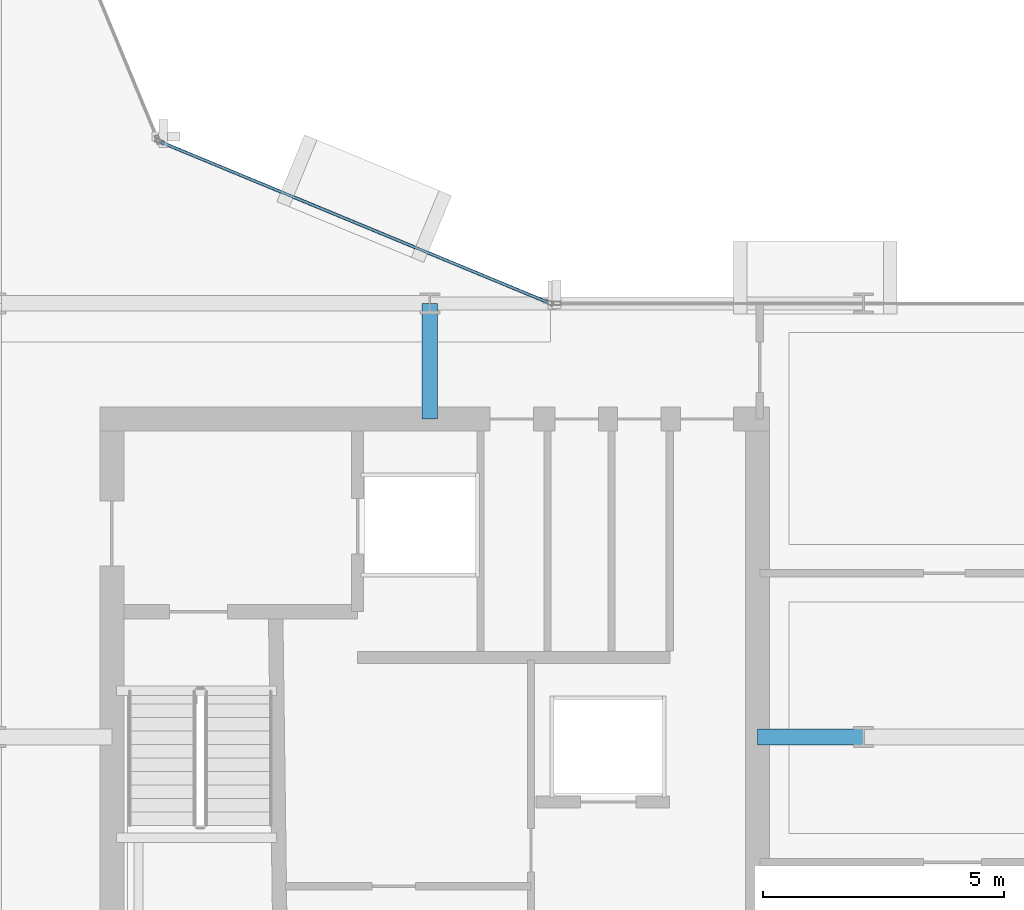
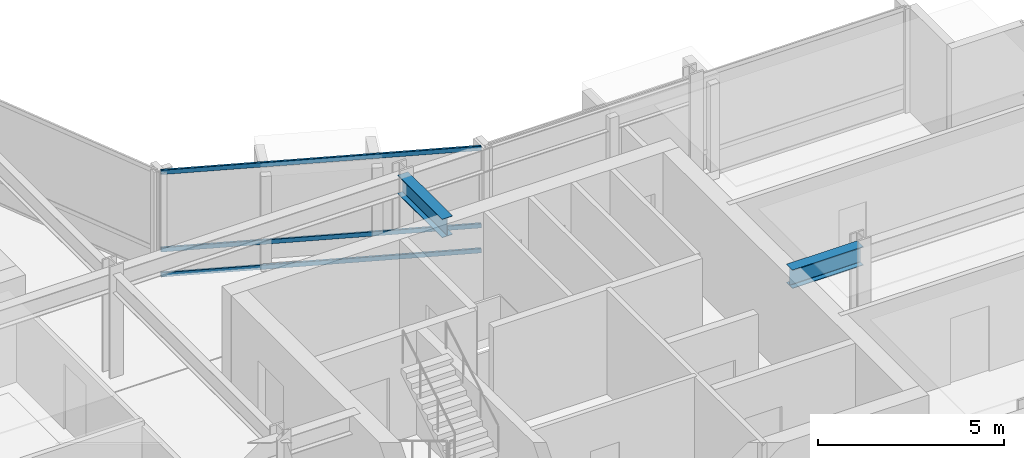
# One storey, part 12 of 29: 3 members, 2 beams, 1 element without a shape of its own.
"""IFC4 building model written with IfcOpenShell, lengths in metres."""

from ifc_helpers import new_model, si_unit, direction, frame, origin, origin_2d, place, context, subcontext, project, spatial, hollow_rectangle, i_section, extrude, material, layer, layer_set, material_profile, profile_set, type_object, element, aggregate, save


model = new_model("IFC4")

# Units and contexts
model_context = context("Model", 3, precision=1e-05, world=origin(), true_north=direction((0.0, 1.0)))
body_context = subcontext(model_context, "Body", "Model", "MODEL_VIEW")
ifc_project = project(units=[si_unit("LENGTHUNIT", "METRE"), si_unit("AREAUNIT", "SQUARE_METRE"), si_unit("VOLUMEUNIT", "CUBIC_METRE"), si_unit("PLANEANGLEUNIT", "RADIAN"), si_unit("MASSUNIT", "GRAM", prefix="KILO")], contexts=[model_context])

# Site, building, storey
site_placement = place(None, origin())
site = spatial("IfcSite", under=ifc_project, at=site_placement, CompositionType="ELEMENT")
building_placement = place(site_placement, origin())
building = spatial("IfcBuilding", under=site, at=building_placement, Name="Solvaryn Broadcast Tower", CompositionType="ELEMENT")
storey_placement = place(building_placement, frame((0.0, 0.0, 161.800048828125)))
storey = spatial("IfcBuildingStorey", under=building, at=storey_placement, Name="L40", CompositionType="ELEMENT", Elevation=161.800048828125)

# Beams
ifc_material_1 = material(Name="Steel ASTM A992 Grade 50", Category="steel")
ifc_material_profile_1 = material_profile(ifc_material_1, i_section(OverallWidth=0.323974609375, OverallDepth=0.611083984375, WebThickness=0.0126953125, FlangeThickness=0.01904296875, FilletRadius=0.014892578125, at=origin_2d()))
ifc_profile_set_1 = profile_set([ifc_material_profile_1], Name="Steel ASTM A992 Grade 50")
beam_type = type_object("IfcBeamType", Name="BM-B1-W24X104", PredefinedType="BEAM", material=ifc_profile_set_1)
beam_1_placement = place(storey_placement, frame((36.0, 24.60009765625, 3.114501953125), z_axis=(0.0, 1.0, 0.0), x_axis=(-1.0, 0.0, 0.0)))
element("IfcBeam", 1, at=beam_1_placement, inside=storey, type_object=beam_type, Name="L40 Core Tie Beam CTE2", PredefinedType="BEAM", context=body_context, shape_type="SweptSolid", body=[
    extrude(i_section(OverallWidth=0.323974609375, OverallDepth=0.611083984375, WebThickness=0.0126953125, FlangeThickness=0.01904296875, FilletRadius=0.014892578125, at=origin_2d()), origin(), (0.0, 0.0, 1.0), 2.39990234375),
])
beam_2_placement = place(storey_placement, frame((42.800048828125, 18.0, 3.114501953125), z_axis=(1.0, 0.0, 0.0), x_axis=(0.0, 1.0, 0.0)))
element("IfcBeam", 2, at=beam_2_placement, inside=storey, type_object=beam_type, Name="L40 Core Tie Beam CTE3", PredefinedType="BEAM", context=body_context, shape_type="SweptSolid", body=[
    extrude(i_section(OverallWidth=0.323974609375, OverallDepth=0.611083984375, WebThickness=0.0126953125, FlangeThickness=0.01904296875, FilletRadius=0.014892578125, at=origin_2d()), origin(), (0.0, 0.0, 1.0), 2.199951171875),
])

# Curtain wall, members
ifc_material_2 = material(Name="Aluminium and Terracotta Unitised Curtain Wall", Category="masonry")
ifc_layer = layer(ifc_material_2, 0.199951171875)
ifc_layer_set = layer_set([ifc_layer], Name="CW-SYS2-LOWMID")
curtain_wall_type = type_object("IfcCurtainWallType", Name="CW-SYS2-LOWMID", PredefinedType="NOTDEFINED", material=ifc_layer_set)
curtain_wall_placement = place(storey_placement, origin())
curtain_wall = element("IfcCurtainWall", 3, at=curtain_wall_placement, inside=storey, type_object=curtain_wall_type, Name="L40 Curtain Wall CN1", PredefinedType="NOTDEFINED")
ifc_material_3 = material(Name="Anodised Aluminium 6063-T6", Category="aluminium")
ifc_material_profile_2 = material_profile(ifc_material_3, hollow_rectangle(XDim=0.06494140625, YDim=0.14990234375, WallThickness=0.00390625, InnerFilletRadius=0.00390625, OuterFilletRadius=0.008056640625, at=origin_2d()))
ifc_profile_set_2 = profile_set([ifc_material_profile_2], Name="Anodised Aluminium 6063-T6")
member_type = type_object("IfcMemberType", Name="CW-TRN-150", PredefinedType="USERDEFINED", material=ifc_profile_set_2)
member_1_placement = place(storey_placement, frame((38.444580078125, 27.02294921875, 0.030029296875), z_axis=(-0.923899282177, 0.382635748975, 0.0), x_axis=(-0.382635748975, -0.923899282177, 0.0)))
member_1 = element("IfcMember", 4, at=member_1_placement, type_object=member_type, Name="CWS2 transom 1.1", ObjectType="TRANSOM", PredefinedType="USERDEFINED", context=body_context, shape_type="SweptSolid", body=[
    extrude(hollow_rectangle(XDim=0.06494140625, YDim=0.14990234375, WallThickness=0.00390625, InnerFilletRadius=0.00390625, OuterFilletRadius=0.008056640625, at=origin_2d()), origin(), (0.0, 0.0, 1.0), 8.681884765625),
])
member_2_placement = place(storey_placement, frame((38.444580078125, 27.02294921875, 0.849853515625), z_axis=(-0.923899282177, 0.382635748975, 0.0), x_axis=(-0.382635748975, -0.923899282177, 0.0)))
member_2 = element("IfcMember", 5, at=member_2_placement, type_object=member_type, Name="CWS2 transom 1.2", ObjectType="TRANSOM", PredefinedType="USERDEFINED", context=body_context, shape_type="SweptSolid", body=[
    extrude(hollow_rectangle(XDim=0.06494140625, YDim=0.14990234375, WallThickness=0.00390625, InnerFilletRadius=0.00390625, OuterFilletRadius=0.008056640625, at=origin_2d()), origin(), (0.0, 0.0, 1.0), 8.681884765625),
])
member_3_placement = place(storey_placement, frame((38.444580078125, 27.02294921875, 3.389892578125), z_axis=(-0.923899282177, 0.382635748975, 0.0), x_axis=(-0.382635748975, -0.923899282177, 0.0)))
member_3 = element("IfcMember", 6, at=member_3_placement, type_object=member_type, Name="CWS2 transom 1.3", ObjectType="TRANSOM", PredefinedType="USERDEFINED", context=body_context, shape_type="SweptSolid", body=[
    extrude(hollow_rectangle(XDim=0.06494140625, YDim=0.14990234375, WallThickness=0.00390625, InnerFilletRadius=0.00390625, OuterFilletRadius=0.008056640625, at=origin_2d()), origin(), (0.0, 0.0, 1.0), 8.681884765625),
])
aggregate(curtain_wall, [member_1, member_2, member_3])

save(model, "model.ifc")
